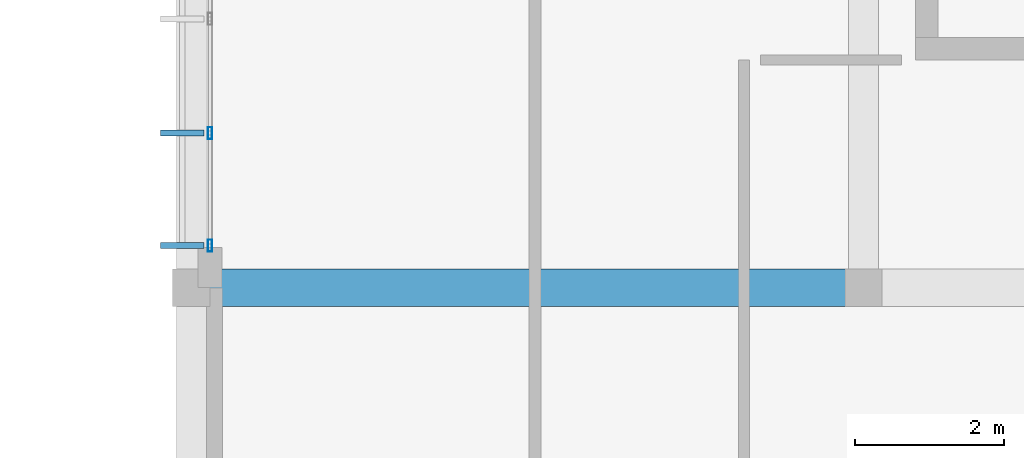
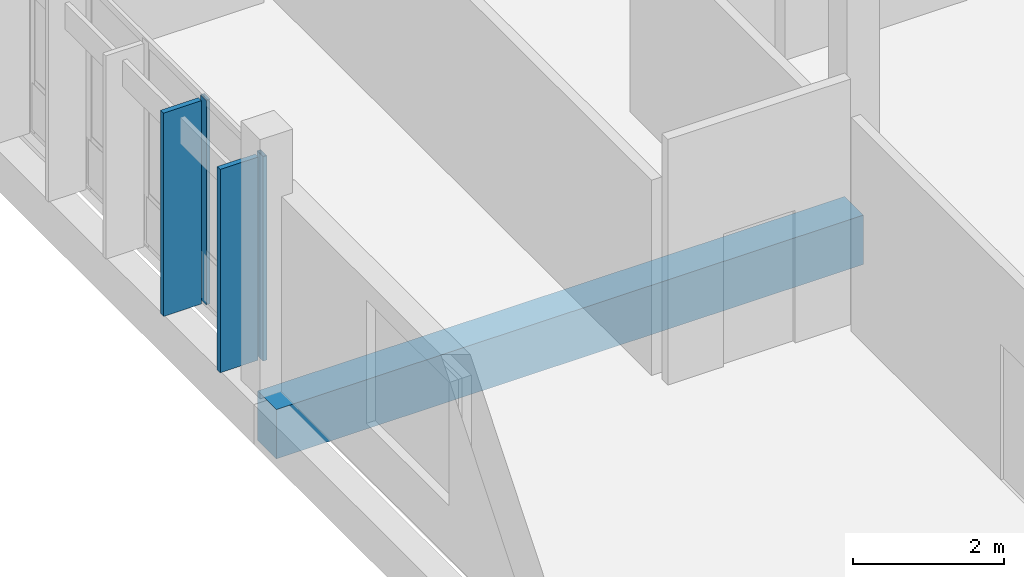
# One storey, part 3 of 24: 4 members, 1 beam, 1 element without a shape of its own.
"""IFC4 building model written with IfcOpenShell, lengths in metres."""

from ifc_helpers import new_model, si_unit, direction, frame, origin, origin_2d, place, context, subcontext, project, spatial, rectangle, hollow_rectangle, extrude, material, material_profile, profile_set, type_object, element, aggregate, save


model = new_model("IFC4")

# Units and contexts
model_context = context("Model", 3, precision=1e-05, world=origin(), true_north=direction((0.0, 1.0)))
body_context = subcontext(model_context, "Body", "Model", "MODEL_VIEW")
ifc_project = project(units=[si_unit("LENGTHUNIT", "METRE"), si_unit("AREAUNIT", "SQUARE_METRE"), si_unit("VOLUMEUNIT", "CUBIC_METRE"), si_unit("PLANEANGLEUNIT", "RADIAN"), si_unit("MASSUNIT", "GRAM", prefix="KILO")], contexts=[model_context])

# Site, building, storey
site_placement = place(None, origin())
site = spatial("IfcSite", under=ifc_project, at=site_placement, CompositionType="ELEMENT")
building_placement = place(site_placement, origin())
building = spatial("IfcBuilding", under=site, at=building_placement, Name="Chiffa Square Polytechnic", CompositionType="ELEMENT")
storey_placement = place(building_placement, frame((0.0, 0.0, 22.199951171875)))
storey = spatial("IfcBuildingStorey", under=building, at=storey_placement, Name="L05", CompositionType="ELEMENT", Elevation=22.199951171875)

# Beam
ifc_material_1 = material(Name="Concrete C40/50", Category="concrete")
ifc_material_profile_1 = material_profile(ifc_material_1, rectangle(XDim=0.5, YDim=0.800048828125, at=origin_2d()), Name="RC 500x800")
ifc_profile_set_1 = profile_set([ifc_material_profile_1], Name="Concrete C40/50")
beam_type = type_object("IfcBeamType", Name="BM-RC-500X800", PredefinedType="BEAM", material=ifc_profile_set_1)
beam_placement = place(storey_placement, frame((112.199951171875, 14.39990234375, -0.659912109375), z_axis=(1.0, 0.0, 0.0), x_axis=(0.0, 1.0, 0.0)))
element("IfcBeam", 1, at=beam_placement, inside=storey, type_object=beam_type, Name="Primary floor girder BM-V1-L05-X-1122-0144", PredefinedType="BEAM", context=body_context, shape_type="SweptSolid", body=[
    extrude(rectangle(XDim=0.5, YDim=0.800048828125, at=origin_2d()), origin(), (0.0, 0.0, 1.0), 9.0),
])

# Curtain wall, members
ifc_material_2 = material(Name="Aluminium EN AW-6060 T66 and glulam shading", Category="wood")
curtain_wall_type = type_object("IfcCurtainWallType", Name="CW-VERT-360X380", PredefinedType="USERDEFINED", material=ifc_material_2)
curtain_wall_placement = place(storey_placement, origin())
curtain_wall = element("IfcCurtainWall", 2, at=curtain_wall_placement, inside=storey, type_object=curtain_wall_type, Name="Curtain wall CW-V1-L05-141", ObjectType="CURTAIN WALL", PredefinedType="USERDEFINED")
ifc_material_3 = material(Name="Aluminium EN AW-6060 T66", Category="aluminium")
ifc_material_profile_2 = material_profile(ifc_material_3, hollow_rectangle(XDim=0.06005859375, YDim=0.159912109375, WallThickness=0.00390625, at=origin_2d()), Name="ALU 60x160x4")
ifc_profile_set_2 = profile_set([ifc_material_profile_2], Name="Aluminium EN AW-6060 T66")
member_type_1 = type_object("IfcMemberType", Name="CWM-ALU-65X150", PredefinedType="MULLION", material=ifc_profile_set_2)
member_1_placement = place(storey_placement, frame((112.449951171875, 16.469970703125, 0.0), z_axis=(0.0, 0.0, 1.0), x_axis=(1.0, 0.0, 0.0)))
member_1 = element("IfcMember", 3, at=member_1_placement, type_object=member_type_1, Name="Curtain wall mullion CW-V1-L05-141-M03", PredefinedType="MULLION", context=body_context, shape_type="SweptSolid", body=[
    extrude(hollow_rectangle(XDim=0.06005859375, YDim=0.159912109375, WallThickness=0.00390625, at=origin_2d()), origin(), (0.0, 0.0, 1.0), 3.31494140625),
])
member_2_placement = place(storey_placement, frame((112.449951171875, 14.965087890625, 0.0), z_axis=(0.0, 0.0, 1.0), x_axis=(1.0, 0.0, 0.0)))
member_2 = element("IfcMember", 4, at=member_2_placement, type_object=member_type_1, Name="Curtain wall mullion CW-V1-L05-141-M04", PredefinedType="MULLION", context=body_context, shape_type="SweptSolid", body=[
    extrude(hollow_rectangle(XDim=0.06005859375, YDim=0.159912109375, WallThickness=0.00390625, at=origin_2d()), origin(), (0.0, 0.0, 1.0), 3.31494140625),
])
ifc_material_4 = material(Name="Glulam GL28h", Category="wood")
ifc_material_profile_3 = material_profile(ifc_material_4, rectangle(XDim=0.080078125, YDim=0.580078125, at=origin_2d()), Name="GL28h 80x580")
ifc_profile_set_3 = profile_set([ifc_material_profile_3], Name="Glulam GL28h")
member_type_2 = type_object("IfcMemberType", Name="CWM-GL-80X580", PredefinedType="MULLION", material=ifc_profile_set_3)
member_3_placement = place(storey_placement, frame((112.077880859375, 16.469970703125, 0.010009765625), z_axis=(0.0, 0.0, 1.0), x_axis=(0.0, -1.0, 0.0)))
member_3 = element("IfcMember", 5, at=member_3_placement, type_object=member_type_2, Name="Exterior glulam solar fin CW-V1-L05-141-FN03", PredefinedType="MULLION", context=body_context, shape_type="SweptSolid", body=[
    extrude(rectangle(XDim=0.080078125, YDim=0.580078125, at=origin_2d()), origin(), (0.0, 0.0, 1.0), 3.294921875),
])
member_4_placement = place(storey_placement, frame((112.077880859375, 14.965087890625, 0.010009765625), z_axis=(0.0, 0.0, 1.0), x_axis=(0.0, -1.0, 0.0)))
member_4 = element("IfcMember", 6, at=member_4_placement, type_object=member_type_2, Name="Exterior glulam solar fin CW-V1-L05-141-FN04", PredefinedType="MULLION", context=body_context, shape_type="SweptSolid", body=[
    extrude(rectangle(XDim=0.080078125, YDim=0.580078125, at=origin_2d()), origin(), (0.0, 0.0, 1.0), 3.294921875),
])
aggregate(curtain_wall, [member_1, member_3, member_2, member_4])

save(model, "model.ifc")
